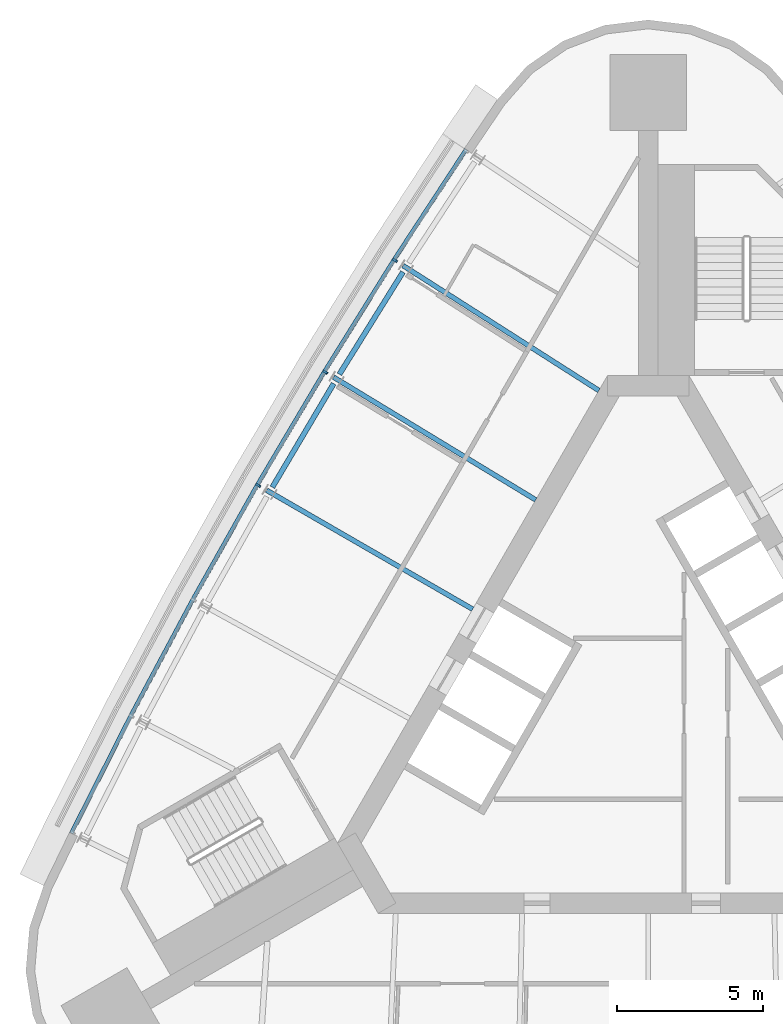
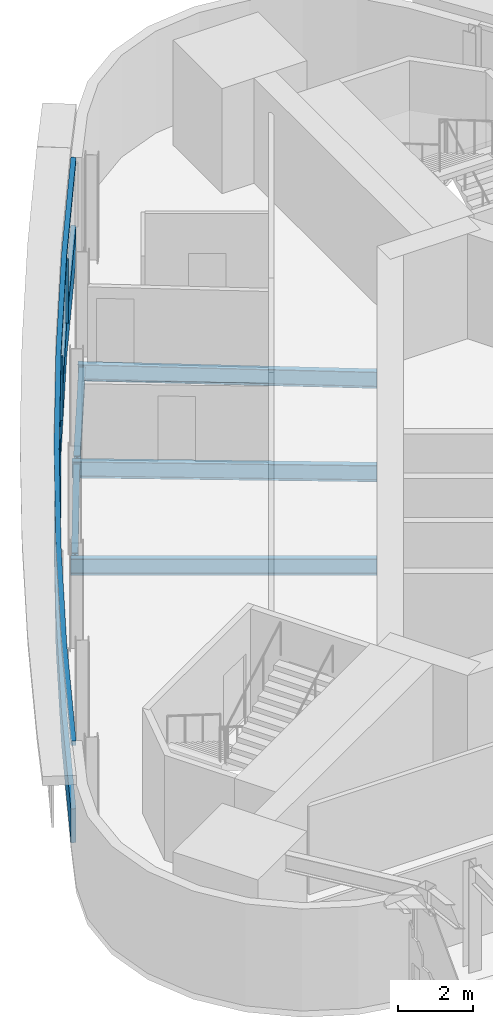
# One storey, part 7 of 15: 5 beams, 5 members, 1 element without a shape of its own.
"""IFC4 building model written with IfcOpenShell, lengths in metres."""

from ifc_helpers import new_model, si_unit, direction, frame, origin, origin_2d, place, context, subcontext, project, spatial, polyline, rectangle, i_section, outline, extrude, material, material_profile, profile_set, type_object, element, aggregate, save


model = new_model("IFC4")

# Units and contexts
model_context = context("Model", 3, precision=1e-05, world=origin(), true_north=direction((0.0, 1.0)))
body_context = subcontext(model_context, "Body", "Model", "MODEL_VIEW")
ifc_project = project(units=[si_unit("LENGTHUNIT", "METRE"), si_unit("AREAUNIT", "SQUARE_METRE"), si_unit("VOLUMEUNIT", "CUBIC_METRE"), si_unit("PLANEANGLEUNIT", "RADIAN"), si_unit("MASSUNIT", "GRAM", prefix="KILO")], contexts=[model_context])

# Site, building, storey
site_placement = place(None, origin())
site = spatial("IfcSite", under=ifc_project, at=site_placement, CompositionType="ELEMENT")
building_placement = place(site_placement, origin())
building = spatial("IfcBuilding", under=site, at=building_placement, Name="Noor Cloister Tower", CompositionType="ELEMENT")
storey_placement = place(building_placement, frame((0.0, 0.0, 225.60009765625)))
storey = spatial("IfcBuildingStorey", under=building, at=storey_placement, Name="L58", CompositionType="ELEMENT", Elevation=225.60009765625)

# Curtain wall, members
ifc_material_1 = material(Name="Aluminium 6063-T6 anodised", Category="aluminium")
curtain_wall_type = type_object("IfcCurtainWallType", Name="Ribbon curtain wall, upper tower CW5", PredefinedType="NOTDEFINED", material=ifc_material_1)
curtain_wall_placement = place(storey_placement, origin())
curtain_wall = element("IfcCurtainWall", 1, at=curtain_wall_placement, inside=storey, type_object=curtain_wall_type, Name="CW5 L58 NW run 1", PredefinedType="NOTDEFINED")
ifc_material_2 = material(Name="Aluminium 6063-T6 anodised", Category="aluminium")
member_type_1 = type_object("IfcMemberType", Name="Head transom CW5 150", PredefinedType="USERDEFINED", material=ifc_material_2)
member_1_placement = place(storey_placement, frame((0.0, 0.0, 3.14990234375)))
member_1 = element("IfcMember", 2, at=member_1_placement, type_object=member_type_1, Name="CW5 head transom", ObjectType="TRANSOM", PredefinedType="USERDEFINED", context=body_context, shape_type="SweptSolid", body=[
    extrude(outline(polyline([(-6.2822265625, 19.2041015625), (-8.744140625, 15.437255859375), (-11.122314453125, 11.6171875), (-13.415283203125, 7.745361328125), (-15.621826171875, 3.823486328125), (-17.7412109375, -0.14599609375), (-19.772216796875, -4.16162109375), (-19.647216796875, -4.224609375), (-17.616943359375, -0.210693359375), (-15.4990234375, 3.75634765625), (-13.2939453125, 7.67529296875), (-11.00244140625, 11.54443359375), (-8.626220703125, 15.362060546875), (-6.1650390625, 19.12744140625), (-6.2822265625, 19.2041015625)])), origin(), (0.0, 0.0, 1.0), 0.14990234375),
])
ifc_material_3 = material(Name="Aluminium 6063-T6 anodised", Category="aluminium")
ifc_material_profile_1 = material_profile(ifc_material_3, rectangle(XDim=0.179931640625, YDim=0.070068359375, at=origin_2d()), Name="180 x 70 mullion")
ifc_profile_set_1 = profile_set([ifc_material_profile_1], Name="Aluminium 6063-T6 anodised")
member_type_2 = type_object("IfcMemberType", Name="Mullion CW5 70 x 180", PredefinedType="MULLION", material=ifc_profile_set_1)
member_2_placement = place(storey_placement, frame((-8.659912109375, 15.383544921875, 1.099853515625), z_axis=(0.0, 0.0, 1.0), x_axis=(0.843050821041, -0.537833908509, 0.0)))
member_2 = element("IfcMember", 3, at=member_2_placement, type_object=member_type_2, Name="CW5 mullion 2", PredefinedType="MULLION", context=body_context, shape_type="SweptSolid", body=[
    extrude(rectangle(XDim=0.179931640625, YDim=0.070068359375, at=origin_2d()), origin(), (0.0, 0.0, 1.0), 2.050048828125),
])
member_3_placement = place(storey_placement, frame((-11.03662109375, 11.565185546875, 1.099853515625), z_axis=(0.0, 0.0, 1.0), x_axis=(0.854747474092, -0.519044078603, 0.0)))
member_3 = element("IfcMember", 4, at=member_3_placement, type_object=member_type_2, Name="CW5 mullion 3", PredefinedType="MULLION", context=body_context, shape_type="SweptSolid", body=[
    extrude(rectangle(XDim=0.179931640625, YDim=0.070068359375, at=origin_2d()), origin(), (0.0, 0.0, 1.0), 2.050048828125),
])
member_4_placement = place(storey_placement, frame((-13.32861328125, 7.6953125, 1.099853515625), z_axis=(0.0, 0.0, 1.0), x_axis=(0.866025403784, -0.5, 0.0)))
member_4 = element("IfcMember", 5, at=member_4_placement, type_object=member_type_2, Name="CW5 mullion 4", PredefinedType="MULLION", context=body_context, shape_type="SweptSolid", body=[
    extrude(rectangle(XDim=0.179931640625, YDim=0.070068359375, at=origin_2d()), origin(), (0.0, 0.0, 1.0), 2.050048828125),
])

# Beams
ifc_material_4 = material(Name="Steel ASTM A992 Gr 50", Category="steel")
ifc_material_profile_2 = material_profile(ifc_material_4, i_section(OverallWidth=0.166015625, OverallDepth=0.528076171875, WebThickness=0.009765625, FlangeThickness=0.013671875, FilletRadius=0.0126953125, at=origin_2d()), Name="W530x74")
ifc_profile_set_2 = profile_set([ifc_material_profile_2], Name="Steel ASTM A992 Gr 50")
beam_type_1 = type_object("IfcBeamType", Name="Radial beam W530x74", PredefinedType="BEAM", material=ifc_profile_set_2)
beam_1_placement = place(storey_placement, frame((-8.378173828125, 15.203857421875, -0.464111328125), z_axis=(0.843054264686, -0.537828510582, 0.0), x_axis=(0.537828510582, 0.843054264686, 0.0)))
element("IfcBeam", 6, at=beam_1_placement, inside=storey, type_object=beam_type_1, Name="Radial beam NW 02 L58", PredefinedType="BEAM", context=body_context, shape_type="SweptSolid", body=[
    extrude(i_section(OverallWidth=0.166015625, OverallDepth=0.528076171875, WebThickness=0.009765625, FlangeThickness=0.013671875, FilletRadius=0.0126953125, at=origin_2d()), origin(), (0.0, 0.0, 1.0), 7.93701171875),
])
beam_2_placement = place(storey_placement, frame((-10.751220703125, 11.391845703125, -0.464111328125), z_axis=(0.854748260186, -0.519042784084, 0.0), x_axis=(0.519042784084, 0.854748260186, 0.0)))
element("IfcBeam", 7, at=beam_2_placement, inside=storey, type_object=beam_type_1, Name="Radial beam NW 03 L58", PredefinedType="BEAM", context=body_context, shape_type="SweptSolid", body=[
    extrude(i_section(OverallWidth=0.166015625, OverallDepth=0.528076171875, WebThickness=0.009765625, FlangeThickness=0.013671875, FilletRadius=0.0126953125, at=origin_2d()), origin(), (0.0, 0.0, 1.0), 8.080322265625),
])
beam_3_placement = place(storey_placement, frame((-13.039306640625, 7.5283203125, -0.464111328125), z_axis=(0.866022026288, -0.50000584995, 0.0), x_axis=(0.50000584995, 0.866022026288, 0.0)))
element("IfcBeam", 8, at=beam_3_placement, inside=storey, type_object=beam_type_1, Name="Radial beam NW 04 L58", PredefinedType="BEAM", context=body_context, shape_type="SweptSolid", body=[
    extrude(i_section(OverallWidth=0.166015625, OverallDepth=0.528076171875, WebThickness=0.009765625, FlangeThickness=0.013671875, FilletRadius=0.0126953125, at=origin_2d()), origin(), (0.0, 0.0, 1.0), 8.12841796875),
])

# Member
ifc_material_5 = material(Name="Aluminium 6063-T6 anodised", Category="aluminium")
member_type_3 = type_object("IfcMemberType", Name="Sill transom CW5 1100", PredefinedType="USERDEFINED", material=ifc_material_5)
member_5_placement = place(storey_placement, origin())
member_5 = element("IfcMember", 9, at=member_5_placement, type_object=member_type_3, Name="CW5 sill transom", ObjectType="TRANSOM", PredefinedType="USERDEFINED", context=body_context, shape_type="SweptSolid", body=[
    extrude(outline(polyline([(-6.2822265625, 19.2041015625), (-8.744140625, 15.437255859375), (-11.122314453125, 11.6171875), (-13.415283203125, 7.745361328125), (-15.621826171875, 3.823486328125), (-17.7412109375, -0.14599609375), (-19.772216796875, -4.16162109375), (-19.647216796875, -4.224609375), (-17.616943359375, -0.210693359375), (-15.4990234375, 3.75634765625), (-13.2939453125, 7.67529296875), (-11.00244140625, 11.54443359375), (-8.626220703125, 15.362060546875), (-6.1650390625, 19.12744140625), (-6.2822265625, 19.2041015625)])), origin(), (0.0, 0.0, 1.0), 1.099853515625),
])

aggregate(curtain_wall, [member_2, member_3, member_4, member_5, member_1])

# Beams
ifc_material_6 = material(Name="Steel ASTM A992 Gr 50", Category="steel")
ifc_material_profile_3 = material_profile(ifc_material_6, i_section(OverallWidth=0.177978515625, OverallDepth=0.406005859375, WebThickness=0.0078125, FlangeThickness=0.0126953125, FilletRadius=0.01025390625, at=origin_2d()), Name="W410x60")
ifc_profile_set_3 = profile_set([ifc_material_profile_3], Name="Steel ASTM A992 Gr 50")
beam_type_2 = type_object("IfcBeamType", Name="Spandrel beam W410x60", PredefinedType="SPANDREL", material=ifc_profile_set_3)
beam_4_placement = place(storey_placement, frame((-8.379150390625, 14.983154296875, -0.403076171875), z_axis=(-0.528440659826, -0.848970240375, 0.0), x_axis=(0.848970240375, -0.528440659826, 0.0)))
element("IfcBeam", 10, at=beam_4_placement, inside=storey, type_object=beam_type_2, Name="Spandrel beam NW 02 L58", PredefinedType="SPANDREL", context=body_context, shape_type="SweptSolid", body=[
    extrude(i_section(OverallWidth=0.177978515625, OverallDepth=0.406005859375, WebThickness=0.0078125, FlangeThickness=0.0126953125, FilletRadius=0.01025390625, at=origin_2d()), origin(), (0.0, 0.0, 1.0), 4.114501953125),
])
beam_5_placement = place(storey_placement, frame((-10.7470703125, 11.171142578125, -0.403076171875), z_axis=(-0.509548653359, -0.860441845716, 0.0), x_axis=(0.860441845716, -0.509548653359, 0.0)))
element("IfcBeam", 11, at=beam_5_placement, inside=storey, type_object=beam_type_2, Name="Spandrel beam NW 03 L58", PredefinedType="SPANDREL", context=body_context, shape_type="SweptSolid", body=[
    extrude(i_section(OverallWidth=0.177978515625, OverallDepth=0.406005859375, WebThickness=0.0078125, FlangeThickness=0.0126953125, FilletRadius=0.01025390625, at=origin_2d()), origin(), (0.0, 0.0, 1.0), 4.11474609375),
])

save(model, "model.ifc")
